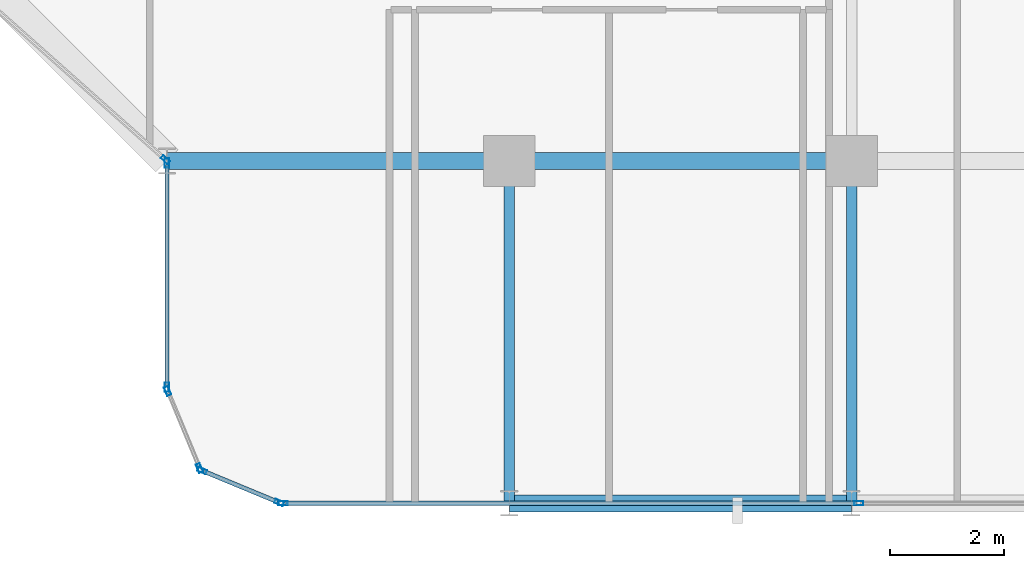
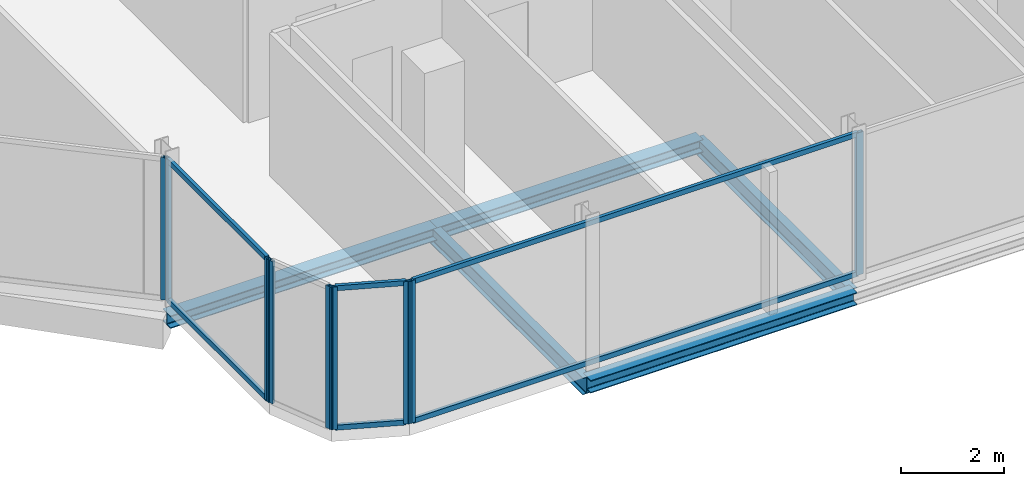
# One storey, part 6 of 29: 15 members, 5 beams, 5 elements without a shape of their own.
"""IFC4 building model written with IfcOpenShell, lengths in metres."""

from ifc_helpers import new_model, si_unit, direction, frame, origin, origin_2d, place, context, subcontext, project, spatial, hollow_rectangle, i_section, extrude, material, layer, layer_set, material_profile, profile_set, type_object, element, aggregate, save


model = new_model("IFC4")

# Units and contexts
model_context = context("Model", 3, precision=1e-05, world=origin(), true_north=direction((0.0, 1.0)))
body_context = subcontext(model_context, "Body", "Model", "MODEL_VIEW")
ifc_project = project(units=[si_unit("LENGTHUNIT", "METRE"), si_unit("AREAUNIT", "SQUARE_METRE"), si_unit("VOLUMEUNIT", "CUBIC_METRE"), si_unit("PLANEANGLEUNIT", "RADIAN"), si_unit("MASSUNIT", "GRAM", prefix="KILO")], contexts=[model_context])

# Site, building, storey
site_placement = place(None, origin())
site = spatial("IfcSite", under=ifc_project, at=site_placement, CompositionType="ELEMENT")
building_placement = place(site_placement, origin())
building = spatial("IfcBuilding", under=site, at=building_placement, Name="Keshet Zoharim Tower", CompositionType="ELEMENT")
storey_placement = place(building_placement, frame((0.0, 0.0, 172.800048828125)))
storey = spatial("IfcBuildingStorey", under=building, at=storey_placement, Name="L42", CompositionType="ELEMENT", Elevation=172.800048828125)

# Beams
ifc_material_1 = material(Name="Steel S355", Category="steel")
ifc_material_profile_1 = material_profile(ifc_material_1, i_section(OverallWidth=0.300048828125, OverallDepth=0.300048828125, WebThickness=0.010986328125, FlangeThickness=0.01904296875, FilletRadius=0.027099609375, at=origin_2d()), Name="HEB300")
ifc_profile_set_1 = profile_set([ifc_material_profile_1], Name="Steel S355")
beam_type_1 = type_object("IfcBeamType", Name="BM-PRI-HB300", PredefinedType="BEAM", material=ifc_profile_set_1)
for number, where, z_axis, x_axis, name in (
    (1, (27.0, 0.699951171875, -0.4599609375), (1.0, 0.0, 0.0), (0.0, 1.0, 0.0), "L42 Primary Girder X-001"),
    (2, (21.0, 6.699951171875, -0.4599609375), (1.0, 0.0, 0.0), (0.0, 1.0, 0.0), "L42 Primary Girder X-005"),
    (3, (27.0, 6.699951171875, -0.4599609375), (1.0, 0.0, 0.0), (0.0, 1.0, 0.0), "L42 Primary Girder X-006"),
):
    element("IfcBeam", number, at=place(storey_placement, frame(where, z_axis=z_axis, x_axis=x_axis)), inside=storey, type_object=beam_type_1, Name=name, PredefinedType="BEAM", context=body_context, shape_type="SweptSolid", body=[
        extrude(i_section(OverallWidth=0.300048828125, OverallDepth=0.300048828125, WebThickness=0.010986328125, FlangeThickness=0.01904296875, FilletRadius=0.027099609375, at=origin_2d()), origin(), (0.0, 0.0, 1.0), 6.0),
    ])
ifc_material_profile_2 = material_profile(ifc_material_1, i_section(OverallWidth=0.179931640625, OverallDepth=0.39990234375, WebThickness=0.008544921875, FlangeThickness=0.013427734375, FilletRadius=0.02099609375, at=origin_2d()), Name="IPE400")
ifc_profile_set_2 = profile_set([ifc_material_profile_2], Name="Steel S355")
beam_type_2 = type_object("IfcBeamType", Name="BM-PRI-IP400", PredefinedType="BEAM", material=ifc_profile_set_2)
for number, where, z_axis, x_axis, name in (
    (4, (27.0, 0.699951171875, -0.510009765625), (0.0, 1.0, 0.0), (-1.0, 0.0, 0.0), "L42 Primary Girder Y-004"),
    (5, (33.0, 0.699951171875, -0.510009765625), (0.0, 1.0, 0.0), (-1.0, 0.0, 0.0), "L42 Primary Girder Y-005"),
):
    element("IfcBeam", number, at=place(storey_placement, frame(where, z_axis=z_axis, x_axis=x_axis)), inside=storey, type_object=beam_type_2, Name=name, PredefinedType="BEAM", context=body_context, shape_type="SweptSolid", body=[
        extrude(i_section(OverallWidth=0.179931640625, OverallDepth=0.39990234375, WebThickness=0.008544921875, FlangeThickness=0.013427734375, FilletRadius=0.02099609375, at=origin_2d()), origin(), (0.0, 0.0, 1.0), 6.0),
    ])

# Curtain wall, members
ifc_material_2 = material(Name="Aluminium 6063-T6", Category="aluminium")
ifc_layer = layer(ifc_material_2, 0.139892578125)
ifc_layer_set = layer_set([ifc_layer], Name="Aluminium 6063-T6")
curtain_wall_type = type_object("IfcCurtainWallType", Name="CW-SYS-05", PredefinedType="NOTDEFINED", material=ifc_layer_set)
curtain_wall_1_placement = place(storey_placement, origin())
curtain_wall_1 = element("IfcCurtainWall", 6, at=curtain_wall_1_placement, inside=storey, type_object=curtain_wall_type, Name="L42 Unitised Curtain Wall 06 Part 3", PredefinedType="NOTDEFINED")
ifc_material_profile_3 = material_profile(ifc_material_2, hollow_rectangle(XDim=0.074951171875, YDim=0.159912109375, WallThickness=0.00390625, at=origin_2d()), Name="MUL-75x160")
ifc_profile_set_3 = profile_set([ifc_material_profile_3], Name="Aluminium 6063-T6")
member_type_1 = type_object("IfcMemberType", Name="CWM-M15", PredefinedType="MULLION", material=ifc_profile_set_3)
member_1_placement = place(storey_placement, frame((33.1259765625, 0.699951171875, 0.0), z_axis=(0.0, 0.0, 1.0), x_axis=(0.0, -1.0, 0.0)))
member_1 = element("IfcMember", 7, at=member_1_placement, type_object=member_type_1, Name="CW-05 mullion 2", PredefinedType="MULLION", context=body_context, shape_type="SweptSolid", body=[
    extrude(hollow_rectangle(XDim=0.074951171875, YDim=0.159912109375, WallThickness=0.00390625, at=origin_2d()), origin(), (0.0, 0.0, 1.0), 3.389892578125),
])
member_2_placement = place(storey_placement, frame((23.034912109375, 0.699951171875, 0.0), z_axis=(0.0, 0.0, 1.0), x_axis=(0.0, -1.0, 0.0)))
member_2 = element("IfcMember", 8, at=member_2_placement, type_object=member_type_1, Name="CW-05 mullion 3", PredefinedType="MULLION", context=body_context, shape_type="SweptSolid", body=[
    extrude(hollow_rectangle(XDim=0.074951171875, YDim=0.159912109375, WallThickness=0.00390625, at=origin_2d()), origin(), (0.0, 0.0, 1.0), 3.389892578125),
])

curtain_wall_2_placement = place(storey_placement, origin())
curtain_wall_2 = element("IfcCurtainWall", 9, at=curtain_wall_2_placement, inside=storey, type_object=curtain_wall_type, Name="L42 Unitised Curtain Wall 07", PredefinedType="NOTDEFINED")
member_3_placement = place(storey_placement, frame((22.9677734375, 0.71337890625, 0.0), z_axis=(0.0, 0.0, 1.0), x_axis=(-0.382851849847, -0.92380975372, 0.0)))
member_3 = element("IfcMember", 10, at=member_3_placement, type_object=member_type_1, Name="CW-05 mullion 1", PredefinedType="MULLION", context=body_context, shape_type="SweptSolid", body=[
    extrude(hollow_rectangle(XDim=0.074951171875, YDim=0.159912109375, WallThickness=0.00390625, at=origin_2d()), origin(), (0.0, 0.0, 1.0), 3.389892578125),
])
member_4_placement = place(storey_placement, frame((21.618408203125, 1.272705078125, 0.0), z_axis=(0.0, 0.0, 1.0), x_axis=(-0.382851849847, -0.92380975372, 0.0)))
member_4 = element("IfcMember", 11, at=member_4_placement, type_object=member_type_1, Name="CW-05 mullion 2", PredefinedType="MULLION", context=body_context, shape_type="SweptSolid", body=[
    extrude(hollow_rectangle(XDim=0.074951171875, YDim=0.159912109375, WallThickness=0.00390625, at=origin_2d()), origin(), (0.0, 0.0, 1.0), 3.389892578125),
])

curtain_wall_3_placement = place(storey_placement, origin())
curtain_wall_3 = element("IfcCurtainWall", 12, at=curtain_wall_3_placement, inside=storey, type_object=curtain_wall_type, Name="L42 Unitised Curtain Wall 08", PredefinedType="NOTDEFINED")
member_5_placement = place(storey_placement, frame((21.572509765625, 1.318359375, 0.0), z_axis=(0.0, 0.0, 1.0), x_axis=(-0.92380975372, -0.382851849847, 0.0)))
member_5 = element("IfcMember", 13, at=member_5_placement, type_object=member_type_1, Name="CW-05 mullion 1", PredefinedType="MULLION", context=body_context, shape_type="SweptSolid", body=[
    extrude(hollow_rectangle(XDim=0.074951171875, YDim=0.159912109375, WallThickness=0.00390625, at=origin_2d()), origin(), (0.0, 0.0, 1.0), 3.389892578125),
])
member_6_placement = place(storey_placement, frame((21.013427734375, 2.667724609375, 0.0), z_axis=(0.0, 0.0, 1.0), x_axis=(-0.92380975372, -0.382851849847, 0.0)))
member_6 = element("IfcMember", 14, at=member_6_placement, type_object=member_type_1, Name="CW-05 mullion 2", PredefinedType="MULLION", context=body_context, shape_type="SweptSolid", body=[
    extrude(hollow_rectangle(XDim=0.074951171875, YDim=0.159912109375, WallThickness=0.00390625, at=origin_2d()), origin(), (0.0, 0.0, 1.0), 3.389892578125),
])
aggregate(curtain_wall_3, [member_5, member_6])

curtain_wall_4_placement = place(storey_placement, origin())
curtain_wall_4 = element("IfcCurtainWall", 15, at=curtain_wall_4_placement, inside=storey, type_object=curtain_wall_type, Name="L42 Unitised Curtain Wall 09", PredefinedType="NOTDEFINED")
member_7_placement = place(storey_placement, frame((21.0, 2.735107421875, 0.0), z_axis=(0.0, 0.0, 1.0), x_axis=(-1.0, 0.0, 0.0)))
member_7 = element("IfcMember", 16, at=member_7_placement, type_object=member_type_1, Name="CW-05 mullion 1", PredefinedType="MULLION", context=body_context, shape_type="SweptSolid", body=[
    extrude(hollow_rectangle(XDim=0.074951171875, YDim=0.159912109375, WallThickness=0.00390625, at=origin_2d()), origin(), (0.0, 0.0, 1.0), 3.389892578125),
])
member_8_placement = place(storey_placement, frame((21.0, 6.6650390625, 0.0), z_axis=(0.0, 0.0, 1.0), x_axis=(-1.0, 0.0, 0.0)))
member_8 = element("IfcMember", 17, at=member_8_placement, type_object=member_type_1, Name="CW-05 mullion 2", PredefinedType="MULLION", context=body_context, shape_type="SweptSolid", body=[
    extrude(hollow_rectangle(XDim=0.074951171875, YDim=0.159912109375, WallThickness=0.00390625, at=origin_2d()), origin(), (0.0, 0.0, 1.0), 3.389892578125),
])

# Curtain wall, member
curtain_wall_5_placement = place(storey_placement, origin())
curtain_wall_5 = element("IfcCurtainWall", 18, at=curtain_wall_5_placement, inside=storey, type_object=curtain_wall_type, Name="L42 Unitised Curtain Wall 10", PredefinedType="NOTDEFINED")
member_9_placement = place(storey_placement, frame((20.973876953125, 6.72314453125, 0.0), z_axis=(0.0, 0.0, 1.0), x_axis=(-0.664367613066, -0.74740596379, 0.0)))
member_9 = element("IfcMember", 19, at=member_9_placement, type_object=member_type_1, Name="CW-05 mullion 1", PredefinedType="MULLION", context=body_context, shape_type="SweptSolid", body=[
    extrude(hollow_rectangle(XDim=0.074951171875, YDim=0.159912109375, WallThickness=0.00390625, at=origin_2d()), origin(), (0.0, 0.0, 1.0), 3.389892578125),
])
aggregate(curtain_wall_5, [member_9])

# Member
ifc_material_profile_4 = material_profile(ifc_material_2, hollow_rectangle(XDim=0.074951171875, YDim=0.1201171875, WallThickness=0.00390625, at=origin_2d()), Name="TRN-75x120")
ifc_profile_set_4 = profile_set([ifc_material_profile_4], Name="Aluminium 6063-T6")
member_type_2 = type_object("IfcMemberType", Name="CWT-T12", PredefinedType="USERDEFINED", material=ifc_profile_set_4)
member_10_placement = place(storey_placement, frame((33.091064453125, 0.699951171875, 0.034912109375), z_axis=(-1.0, 0.0, 0.0), x_axis=(0.0, -1.0, 0.0)))
member_10 = element("IfcMember", 20, at=member_10_placement, type_object=member_type_2, Name="CW-05 transom 2.1", ObjectType="TRANSOM", PredefinedType="USERDEFINED", context=body_context, shape_type="SweptSolid", body=[
    extrude(hollow_rectangle(XDim=0.074951171875, YDim=0.1201171875, WallThickness=0.00390625, at=origin_2d()), origin(), (0.0, 0.0, 1.0), 10.02099609375),
])

member_11_placement = place(storey_placement, frame((33.091064453125, 0.699951171875, 3.35498046875), z_axis=(-1.0, 0.0, 0.0), x_axis=(0.0, -1.0, 0.0)))
member_11 = element("IfcMember", 21, at=member_11_placement, type_object=member_type_2, Name="CW-05 transom 2.2", ObjectType="TRANSOM", PredefinedType="USERDEFINED", context=body_context, shape_type="SweptSolid", body=[
    extrude(hollow_rectangle(XDim=0.074951171875, YDim=0.1201171875, WallThickness=0.00390625, at=origin_2d()), origin(), (0.0, 0.0, 1.0), 10.02099609375),
])

aggregate(curtain_wall_1, [member_1, member_2, member_10, member_11])

member_12_placement = place(storey_placement, frame((22.935302734375, 0.726806640625, 0.034912109375), z_axis=(-0.92379209995, 0.382894445076, 0.0), x_axis=(-0.382894445076, -0.92379209995, 0.0)))
member_12 = element("IfcMember", 22, at=member_12_placement, type_object=member_type_2, Name="CW-05 transom 1.1", ObjectType="TRANSOM", PredefinedType="USERDEFINED", context=body_context, shape_type="SweptSolid", body=[
    extrude(hollow_rectangle(XDim=0.074951171875, YDim=0.1201171875, WallThickness=0.00390625, at=origin_2d()), origin(), (0.0, 0.0, 1.0), 1.390625),
])

member_13_placement = place(storey_placement, frame((22.935302734375, 0.726806640625, 3.35498046875), z_axis=(-0.92379209995, 0.382894445076, 0.0), x_axis=(-0.382894445076, -0.92379209995, 0.0)))
member_13 = element("IfcMember", 23, at=member_13_placement, type_object=member_type_2, Name="CW-05 transom 1.2", ObjectType="TRANSOM", PredefinedType="USERDEFINED", context=body_context, shape_type="SweptSolid", body=[
    extrude(hollow_rectangle(XDim=0.074951171875, YDim=0.1201171875, WallThickness=0.00390625, at=origin_2d()), origin(), (0.0, 0.0, 1.0), 1.390625),
])

aggregate(curtain_wall_2, [member_3, member_4, member_12, member_13])

member_14_placement = place(storey_placement, frame((21.0, 2.77001953125, 0.034912109375), z_axis=(0.0, 1.0, 0.0), x_axis=(-1.0, 0.0, 0.0)))
member_14 = element("IfcMember", 24, at=member_14_placement, type_object=member_type_2, Name="CW-05 transom 1.1", ObjectType="TRANSOM", PredefinedType="USERDEFINED", context=body_context, shape_type="SweptSolid", body=[
    extrude(hollow_rectangle(XDim=0.074951171875, YDim=0.1201171875, WallThickness=0.00390625, at=origin_2d()), origin(), (0.0, 0.0, 1.0), 3.85986328125),
])

member_15_placement = place(storey_placement, frame((21.0, 2.77001953125, 3.35498046875), z_axis=(0.0, 1.0, 0.0), x_axis=(-1.0, 0.0, 0.0)))
member_15 = element("IfcMember", 25, at=member_15_placement, type_object=member_type_2, Name="CW-05 transom 1.2", ObjectType="TRANSOM", PredefinedType="USERDEFINED", context=body_context, shape_type="SweptSolid", body=[
    extrude(hollow_rectangle(XDim=0.074951171875, YDim=0.1201171875, WallThickness=0.00390625, at=origin_2d()), origin(), (0.0, 0.0, 1.0), 3.85986328125),
])

aggregate(curtain_wall_4, [member_7, member_8, member_14, member_15])

save(model, "model.ifc")
